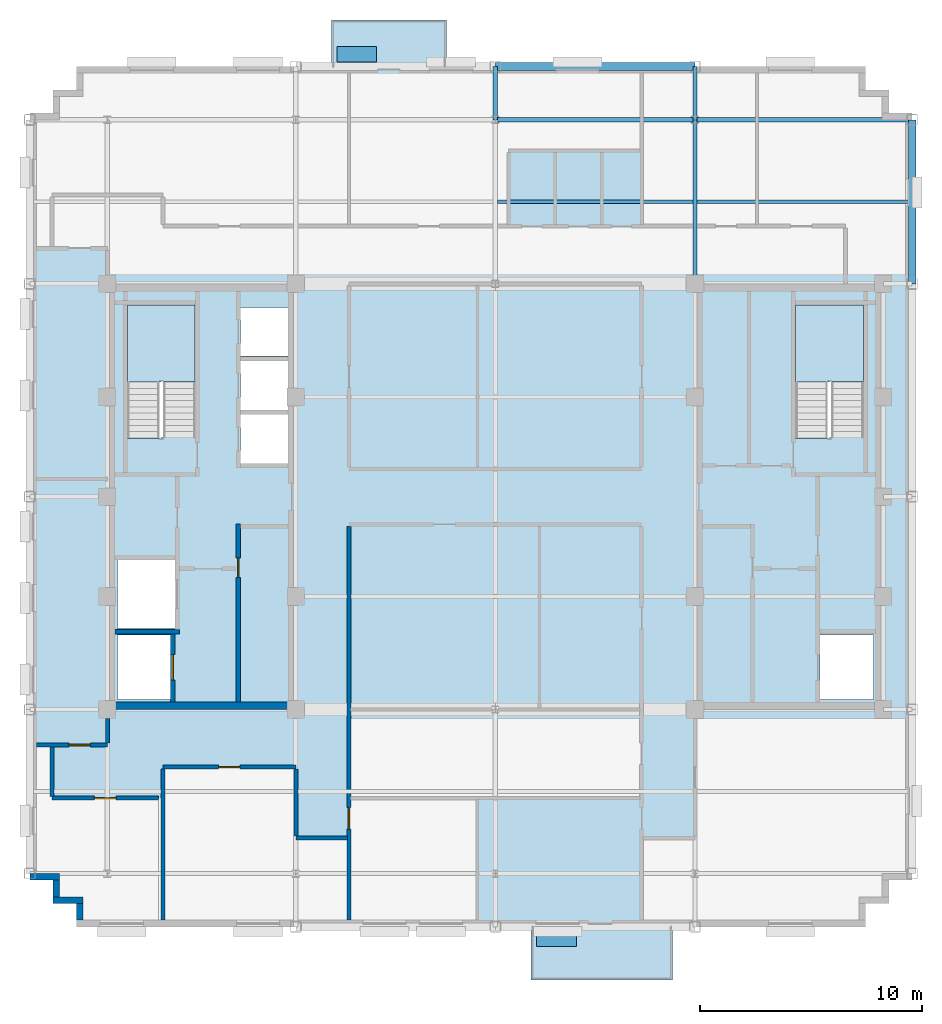
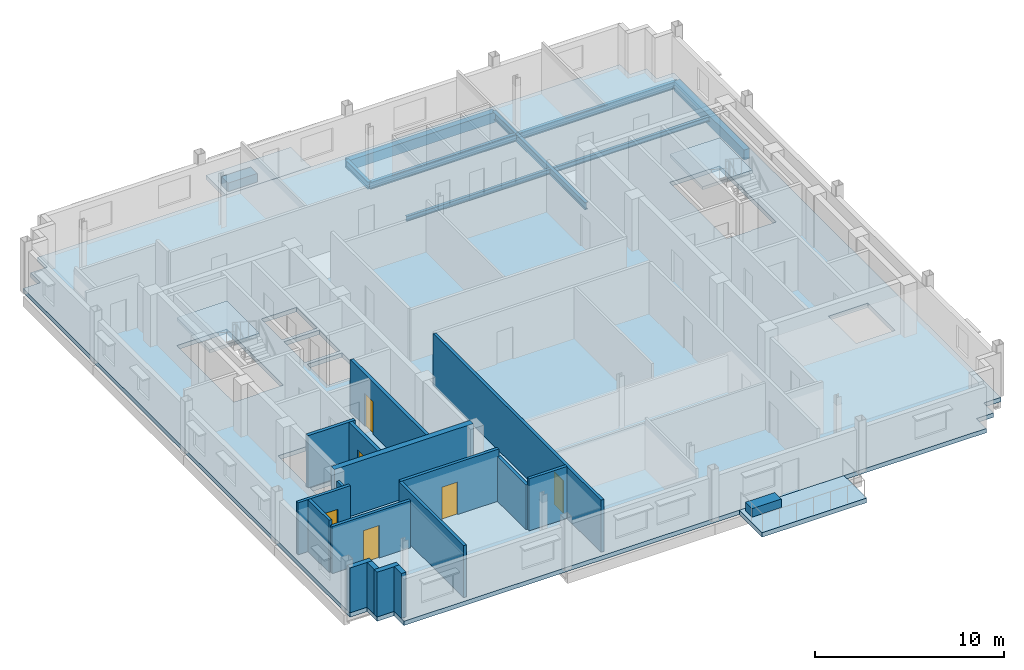
# One storey, part 5 of 13: 17 walls, 9 beams, 6 doors, 5 slabs, 2 plates, 6 openings, 2 elements without a shape of their own.
"""IFC4 building model written with IfcOpenShell, lengths in metres."""

import ifcopenshell
import ifcopenshell.guid

model = None  # the IFC model being written
_history = None  # IfcOwnerHistory: only IFC2X3 demands one
_inside = {}  # id of a spatial element -> (the spatial element, [elements in it])
_under = {}  # id of a project, library or spatial element -> (it, [spatial elements below it])
_declared = {}  # id of a project -> (the project, [libraries it declares])
_typed = {}  # id of a type object -> (the type object, [elements of that type])
_made_of = {}  # id of a material, layer set ... -> (it, [elements and type objects made of it])


def new_model(schema):
    """Start an empty IFC model of exactly this schema.

    Asked for "IFC4X3", IfcOpenShell would pick the latest addendum, in which some entities
    have other attributes; the version numbers below select the first issue.
    IFC2X3 requires an IfcOwnerHistory on every rooted entity: one is made here for all.
    """
    global model, _history
    if schema == "IFC4X3":
        model = ifcopenshell.file(schema_version=(4, 3, 0, 0))
    else:
        model = ifcopenshell.file(schema=schema)
    _inside.clear()
    _under.clear()
    _declared.clear()
    _typed.clear()
    _made_of.clear()
    _history = None
    if model.schema == "IFC2X3":
        org = make("IfcOrganization", Name="unknown")
        user = make(
            "IfcPersonAndOrganization",
            ThePerson=make("IfcPerson", FamilyName="unknown"),
            TheOrganization=org,
        )
        app = make(
            "IfcApplication",
            ApplicationDeveloper=org,
            Version="unknown",
            ApplicationFullName="unknown",
            ApplicationIdentifier="unknown",
        )
        _history = make(
            "IfcOwnerHistory",
            OwningUser=user,
            OwningApplication=app,
            ChangeAction="ADDED",
            CreationDate=0,
        )
    return model


def make(cls, **values):
    """One entity of the class cls with the attributes given. An attribute that is None is left unset."""
    return model.create_entity(
        cls, **{name: value for name, value in values.items() if value is not None}
    )


def rooted(cls, **values):
    """An entity with a GlobalId (a new one), such as an element, a storey or a relation."""
    return make(cls, GlobalId=ifcopenshell.guid.new(), OwnerHistory=_history, **values)


def si_unit(unit_type, name, prefix=None):
    """IfcSIUnit, for example si_unit("LENGTHUNIT", "METRE", prefix="MILLI")."""
    return make("IfcSIUnit", UnitType=unit_type, Prefix=prefix, Name=name)


def assignment(units):
    """IfcUnitAssignment: the units of a project."""
    return None if units is None else make("IfcUnitAssignment", Units=units)


def point(xyz):
    """IfcCartesianPoint."""
    return None if xyz is None else make("IfcCartesianPoint", Coordinates=xyz)


def direction(xyz):
    """IfcDirection."""
    return None if xyz is None else make("IfcDirection", DirectionRatios=xyz)


def frame(location, z_axis=None, x_axis=None):
    """IfcAxis2Placement3D, a coordinate frame: its origin and axes. An axis left out is left unset."""
    return make(
        "IfcAxis2Placement3D",
        Location=point(location),
        Axis=direction(z_axis),
        RefDirection=direction(x_axis),
    )


def frame_2d(location, x_axis=None):
    """IfcAxis2Placement2D, a coordinate frame in the plane: its origin and x axis."""
    return make(
        "IfcAxis2Placement2D", Location=point(location), RefDirection=direction(x_axis)
    )


def origin():
    """The frame at (0, 0, 0) with its axes left unset."""
    return frame((0.0, 0.0, 0.0))


def origin_2d():
    """The frame at (0, 0) in the plane with its x axis left unset."""
    return frame_2d((0.0, 0.0))


def place(relative_to, where):
    """IfcLocalPlacement: puts the frame where relative to a parent placement (None: the world)."""
    return make(
        "IfcLocalPlacement", PlacementRelTo=relative_to, RelativePlacement=where
    )


def context(
    kind, dimensions, precision=None, world=None, true_north=None, identifier=None
):
    """IfcGeometricRepresentationContext, for example the 3D "Model" context."""
    return make(
        "IfcGeometricRepresentationContext",
        ContextIdentifier=identifier,
        ContextType=kind,
        CoordinateSpaceDimension=dimensions,
        Precision=precision,
        WorldCoordinateSystem=world,
        TrueNorth=true_north,
    )


def subcontext(parent, identifier, kind, view, scale=None):
    """IfcGeometricRepresentationSubContext, for example "Body" below "Model"."""
    return make(
        "IfcGeometricRepresentationSubContext",
        ContextIdentifier=identifier,
        ContextType=kind,
        ParentContext=parent,
        TargetScale=scale,
        TargetView=view,
    )


def project(units=None, contexts=None):
    """IfcProject with its units and contexts."""
    return rooted(
        "IfcProject",
        Name="project",
        RepresentationContexts=contexts,
        UnitsInContext=assignment(units),
    )


def spatial(cls, under=None, at=None, **own):
    """A site, building, storey or space (cls), placed at a placement, below another one or the project."""
    s = rooted(cls, ObjectPlacement=at, **own)
    if under is not None:
        _under.setdefault(under.id(), (under, []))[1].append(s)
    return s


def polyline(points):
    """IfcPolyline through the points."""
    return make("IfcPolyline", Points=[point(p) for p in points])


def profile(cls, at=None, kind="AREA", **sizes):
    """A parametric profile (cls). Its sizes go by their IFC names, for example OverallWidth=200.0."""
    return make(cls, ProfileType=kind, Position=at, **sizes)


def rectangle(**sizes):
    """IfcRectangleProfileDef."""
    return profile("IfcRectangleProfileDef", **sizes)


def i_section(**sizes):
    """IfcIShapeProfileDef."""
    return profile("IfcIShapeProfileDef", **sizes)


def outline(outer, holes=None, kind="AREA"):
    """IfcArbitraryClosedProfileDef: a profile drawn as a closed curve; with holes, ...WithVoids."""
    if holes is None:
        return make("IfcArbitraryClosedProfileDef", ProfileType=kind, OuterCurve=outer)
    return make(
        "IfcArbitraryProfileDefWithVoids",
        ProfileType=kind,
        OuterCurve=outer,
        InnerCurves=holes,
    )


def extrude(swept, where, along, depth):
    """IfcExtrudedAreaSolid: the profile swept, set in the frame where, extruded along a direction by depth."""
    return make(
        "IfcExtrudedAreaSolid",
        SweptArea=swept,
        Position=where,
        ExtrudedDirection=direction(along),
        Depth=depth,
    )


def shape(context_of_items, identifier, shape_type, items):
    """IfcShapeRepresentation: the items that make up one representation, for example the "Body"."""
    return make(
        "IfcShapeRepresentation",
        ContextOfItems=context_of_items,
        RepresentationIdentifier=identifier,
        RepresentationType=shape_type,
        Items=items,
    )


def source(mapping_origin, context_of_items, identifier, shape_type, items):
    """IfcRepresentationMap: a shape defined once, which mapped items show again and again."""
    return make(
        "IfcRepresentationMap",
        MappingOrigin=mapping_origin,
        MappedRepresentation=shape(context_of_items, identifier, shape_type, items),
    )


def transform(
    local_origin,
    x_axis=None,
    y_axis=None,
    z_axis=None,
    scale=None,
    scale2=None,
    scale3=None,
    uniform=True,
):
    """IfcCartesianTransformationOperator3D, or its non-uniform kind. x_axis, y_axis, z_axis: its Axis1, 2, 3."""
    if uniform:
        return make(
            "IfcCartesianTransformationOperator3D",
            Axis1=direction(x_axis),
            Axis2=direction(y_axis),
            LocalOrigin=point(local_origin),
            Scale=scale,
            Axis3=direction(z_axis),
        )
    return make(
        "IfcCartesianTransformationOperator3DnonUniform",
        Axis1=direction(x_axis),
        Axis2=direction(y_axis),
        LocalOrigin=point(local_origin),
        Scale=scale,
        Axis3=direction(z_axis),
        Scale2=scale2,
        Scale3=scale3,
    )


def mapped(mapping_source, mapping_target):
    """IfcMappedItem: shows the shape of a source again, moved by a transform."""
    return make(
        "IfcMappedItem", MappingSource=mapping_source, MappingTarget=mapping_target
    )


def material(Name=None, Category=None):
    """IfcMaterial."""
    return make("IfcMaterial", Name=Name, Category=Category)


def layer(
    of_material, thickness, ventilated=None, Name=None, Category=None, Priority=None
):
    """IfcMaterialLayer: one layer of a wall or slab, of a material (None: an air gap)."""
    return make(
        "IfcMaterialLayer",
        Material=of_material,
        LayerThickness=thickness,
        IsVentilated=ventilated,
        Name=Name,
        Category=Category,
        Priority=Priority,
    )


def layer_set(layers, Name=None):
    """IfcMaterialLayerSet."""
    return make("IfcMaterialLayerSet", MaterialLayers=layers, LayerSetName=Name)


def material_profile(
    of_material, cross_section, Name=None, Category=None, Priority=None
):
    """IfcMaterialProfile: a cross section and its material."""
    return make(
        "IfcMaterialProfile",
        Name=Name,
        Material=of_material,
        Profile=cross_section,
        Priority=Priority,
        Category=Category,
    )


def profile_set(profiles, Name=None, composite=None):
    """IfcMaterialProfileSet."""
    return make(
        "IfcMaterialProfileSet",
        Name=Name,
        MaterialProfiles=profiles,
        CompositeProfile=composite,
    )


def made_of(thing, what):
    """Note that an element or type object is made of a material, layer set ...; save() writes the relation."""
    if what is not None:
        _made_of.setdefault(what.id(), (what, []))[1].append(thing)
    return thing


def type_object(cls, material=None, **own):
    """A type object (cls), such as IfcWallType, which elements share."""
    return made_of(rooted(cls, **own), material)


def type_shapes(of_type, sources):
    """Give a type object the sources (RepresentationMaps) that its elements show as mapped items."""
    of_type.RepresentationMaps = sources


def element(
    cls,
    number,
    at=None,
    inside=None,
    cuts=None,
    type_object=None,
    material=None,
    context=None,
    identifier="Body",
    shape_type=None,
    held_by="IfcProductDefinitionShape",
    body=None,
    shapes=None,
    **own,
):
    """One element of the class cls, such as IfcWall. Its Tag is "e" and its number.

    at: its placement. inside: the storey or other place that contains it. cuts: it is an
    opening in that element (IfcRelVoidsElement). A single representation is given by context,
    identifier, shape_type and body (its items); several are given by shapes. held_by: the class
    of the entity that holds the representations. save() writes the other relations.
    """
    e = rooted(cls, Tag="e%d" % number, ObjectPlacement=at, **own)
    if body is not None:
        shapes = [shape(context, identifier, shape_type, body)]
    if shapes is not None:
        e.Representation = make(held_by, Representations=shapes)
    if inside is not None:
        _inside.setdefault(inside.id(), (inside, []))[1].append(e)
    if cuts is not None:
        rooted(
            "IfcRelVoidsElement", RelatingBuildingElement=cuts, RelatedOpeningElement=e
        )
    if type_object is not None:
        _typed.setdefault(type_object.id(), (type_object, []))[1].append(e)
    return made_of(e, material)


def fill(opening, filler):
    """IfcRelFillsElement: the door or window that sits in an opening."""
    return rooted(
        "IfcRelFillsElement",
        RelatingOpeningElement=opening,
        RelatedBuildingElement=filler,
    )


def aggregate(whole, parts):
    """IfcRelAggregates: a whole, such as a stair, and the parts it consists of."""
    return rooted("IfcRelAggregates", RelatingObject=whole, RelatedObjects=parts)


def save(model, path):
    """Write the relations noted so far, then the file.

    IfcRelAggregates (storeys below a building ...), IfcRelContainedInSpatialStructure (elements
    in a storey), IfcRelDefinesByType, IfcRelAssociatesMaterial and IfcRelDeclares: one each for
    every whole, place, type object, material and project.
    """
    for whole, parts in _under.values():
        aggregate(whole, parts)
    for where, things in _inside.values():
        rooted(
            "IfcRelContainedInSpatialStructure",
            RelatedElements=things,
            RelatingStructure=where,
        )
    for kind, things in _typed.values():
        rooted("IfcRelDefinesByType", RelatedObjects=things, RelatingType=kind)
    for what, things in _made_of.values():
        rooted("IfcRelAssociatesMaterial", RelatedObjects=things, RelatingMaterial=what)
    for by, libraries in _declared.values():
        rooted("IfcRelDeclares", RelatingContext=by, RelatedDefinitions=libraries)
    model.write(path)


model = new_model("IFC4")

# Units and contexts
model_context = context("Model", 3, precision=1e-05, world=origin(), true_north=direction((0.0, 1.0)))
body_context = subcontext(model_context, "Body", "Model", "MODEL_VIEW")
ifc_project = project(units=[si_unit("LENGTHUNIT", "METRE"), si_unit("AREAUNIT", "SQUARE_METRE"), si_unit("VOLUMEUNIT", "CUBIC_METRE"), si_unit("PLANEANGLEUNIT", "RADIAN"), si_unit("MASSUNIT", "GRAM", prefix="KILO")], contexts=[model_context])

# Site, building, storey
site_placement = place(None, origin())
site = spatial("IfcSite", under=ifc_project, at=site_placement, CompositionType="ELEMENT")
building_placement = place(site_placement, origin())
building = spatial("IfcBuilding", under=site, at=building_placement, Name="Nuvemarco Arch Tower", CompositionType="ELEMENT")
storey_placement = place(building_placement, frame((0.0, 0.0, 276.199951171875)))
storey = spatial("IfcBuildingStorey", under=building, at=storey_placement, Name="L73", CompositionType="ELEMENT", Elevation=276.199951171875)

# Beams
ifc_material_1 = material(Name="Steel S355", Category="steel")
ifc_material_profile_1 = material_profile(ifc_material_1, i_section(OverallWidth=0.19189453125, OverallDepth=0.462890625, WebThickness=0.010498046875, FlangeThickness=0.017578125, FilletRadius=0.014892578125, at=origin_2d()), Name="W460x89")
ifc_profile_set_1 = profile_set([ifc_material_profile_1], Name="Steel S355")
beam_type_1 = type_object("IfcBeamType", Name="BM-GIRD-460", PredefinedType="BEAM", material=ifc_profile_set_1)
beam_1_placement = place(storey_placement, frame((0.0, 17.0, -0.511474609375), z_axis=(0.0, 1.0, 0.0), x_axis=(-1.0, 0.0, 0.0)))
element("IfcBeam", 1, at=beam_1_placement, inside=storey, type_object=beam_type_1, Name="L73 structural beam BGNS_L73_0_+0.0_+17.0", PredefinedType="BEAM", context=body_context, shape_type="SweptSolid", body=[
    extrude(i_section(OverallWidth=0.19189453125, OverallDepth=0.462890625, WebThickness=0.010498046875, FlangeThickness=0.017578125, FilletRadius=0.014892578125, at=origin_2d()), origin(), (0.0, 0.0, 1.0), 2.39990234375),
])
beam_2_placement = place(storey_placement, frame((9.0, 9.60009765625, -0.511474609375), z_axis=(0.0, 1.0, 0.0), x_axis=(-1.0, 0.0, 0.0)))
element("IfcBeam", 2, at=beam_2_placement, inside=storey, type_object=beam_type_1, Name="L73 structural beam BGNS_L73_0_+9.0_+9.6", PredefinedType="BEAM", context=body_context, shape_type="SweptSolid", body=[
    extrude(i_section(OverallWidth=0.19189453125, OverallDepth=0.462890625, WebThickness=0.010498046875, FlangeThickness=0.017578125, FilletRadius=0.014892578125, at=origin_2d()), origin(), (0.0, 0.0, 1.0), 7.39990234375),
])
beam_3_placement = place(storey_placement, frame((9.0, 17.0, -0.511474609375), z_axis=(0.0, 1.0, 0.0), x_axis=(-1.0, 0.0, 0.0)))
element("IfcBeam", 3, at=beam_3_placement, inside=storey, type_object=beam_type_1, Name="L73 structural beam BGNS_L73_0_+9.0_+17.0", PredefinedType="BEAM", context=body_context, shape_type="SweptSolid", body=[
    extrude(i_section(OverallWidth=0.19189453125, OverallDepth=0.462890625, WebThickness=0.010498046875, FlangeThickness=0.017578125, FilletRadius=0.014892578125, at=origin_2d()), origin(), (0.0, 0.0, 1.0), 2.39990234375),
])
beam_4_placement = place(storey_placement, frame((0.0, 17.0, -0.511474609375), z_axis=(1.0, 0.0, 0.0), x_axis=(0.0, 1.0, 0.0)))
element("IfcBeam", 4, at=beam_4_placement, inside=storey, type_object=beam_type_1, Name="L73 structural beam BGEW_L73_0_+17.0_+0.0", PredefinedType="BEAM", context=body_context, shape_type="SweptSolid", body=[
    extrude(i_section(OverallWidth=0.19189453125, OverallDepth=0.462890625, WebThickness=0.010498046875, FlangeThickness=0.017578125, FilletRadius=0.014892578125, at=origin_2d()), origin(), (0.0, 0.0, 1.0), 9.0),
])
beam_5_placement = place(storey_placement, frame((9.0, 17.0, -0.511474609375), z_axis=(1.0, 0.0, 0.0), x_axis=(0.0, 1.0, 0.0)))
element("IfcBeam", 5, at=beam_5_placement, inside=storey, type_object=beam_type_1, Name="L73 structural beam BGEW_L73_0_+17.0_+9.0", PredefinedType="BEAM", context=body_context, shape_type="SweptSolid", body=[
    extrude(i_section(OverallWidth=0.19189453125, OverallDepth=0.462890625, WebThickness=0.010498046875, FlangeThickness=0.017578125, FilletRadius=0.014892578125, at=origin_2d()), origin(), (0.0, 0.0, 1.0), 9.800048828125),
])
ifc_material_profile_2 = material_profile(ifc_material_1, i_section(OverallWidth=0.1669921875, OverallDepth=0.31689453125, WebThickness=0.007568359375, FlangeThickness=0.01318359375, FilletRadius=0.010009765625, at=origin_2d()), Name="W310x52")
ifc_profile_set_2 = profile_set([ifc_material_profile_2], Name="Steel S355")
beam_type_2 = type_object("IfcBeamType", Name="BM-JOIST-310", PredefinedType="JOIST", material=ifc_profile_set_2)
beam_6_placement = place(storey_placement, frame((0.095947265625, 13.300048828125, -0.4384765625), z_axis=(1.0, 0.0, 0.0), x_axis=(0.0, 1.0, 0.0)))
element("IfcBeam", 6, at=beam_6_placement, inside=storey, type_object=beam_type_2, Name="L73 structural beam BJ_L73_0_+13.3_+0.0", PredefinedType="JOIST", context=body_context, shape_type="SweptSolid", body=[
    extrude(i_section(OverallWidth=0.1669921875, OverallDepth=0.31689453125, WebThickness=0.007568359375, FlangeThickness=0.01318359375, FilletRadius=0.010009765625, at=origin_2d()), origin(), (0.0, 0.0, 1.0), 8.80810546875),
])
beam_7_placement = place(storey_placement, frame((9.095947265625, 13.300048828125, -0.4384765625), z_axis=(1.0, 0.0, 0.0), x_axis=(0.0, 1.0, 0.0)))
element("IfcBeam", 7, at=beam_7_placement, inside=storey, type_object=beam_type_2, Name="L73 structural beam BJ_L73_0_+13.3_+9.0", PredefinedType="JOIST", context=body_context, shape_type="SweptSolid", body=[
    extrude(i_section(OverallWidth=0.1669921875, OverallDepth=0.31689453125, WebThickness=0.007568359375, FlangeThickness=0.01318359375, FilletRadius=0.010009765625, at=origin_2d()), origin(), (0.0, 0.0, 1.0), 9.529052734375),
])
ifc_material_2 = material(Name="Precast concrete C45/55", Category="concrete")
ifc_material_profile_3 = material_profile(ifc_material_2, rectangle(XDim=0.35009765625, YDim=0.64990234375, at=origin_2d()), Name="PC-SP-350x650")
ifc_profile_set_3 = profile_set([ifc_material_profile_3], Name="Precast concrete C45/55")
beam_type_3 = type_object("IfcBeamType", Name="BM-SPAN-RC", PredefinedType="SPANDREL", material=ifc_profile_set_3)
beam_8_placement = place(storey_placement, frame((18.800048828125, 9.60009765625, -0.60498046875), z_axis=(0.0, 1.0, 0.0), x_axis=(-1.0, 0.0, 0.0)))
element("IfcBeam", 8, at=beam_8_placement, inside=storey, type_object=beam_type_3, Name="L73 structural beam BGNS_L73_0_+18.8_+9.6", PredefinedType="SPANDREL", context=body_context, shape_type="SweptSolid", body=[
    extrude(rectangle(XDim=0.35009765625, YDim=0.64990234375, at=origin_2d()), origin(), (0.0, 0.0, 1.0), 7.39990234375),
])
beam_9_placement = place(storey_placement, frame((0.0, 19.39990234375, -0.60498046875), z_axis=(1.0, 0.0, 0.0), x_axis=(0.0, 1.0, 0.0)))
element("IfcBeam", 9, at=beam_9_placement, inside=storey, type_object=beam_type_3, Name="L73 structural beam BGEW_L73_0_+19.4_+0.0", PredefinedType="SPANDREL", context=body_context, shape_type="SweptSolid", body=[
    extrude(rectangle(XDim=0.35009765625, YDim=0.64990234375, at=origin_2d()), origin(), (0.0, 0.0, 1.0), 9.0),
])

# Slab
ifc_material_3 = material(Name="Concrete C50/60", Category="concrete")
ifc_layer_1 = layer(ifc_material_3, 0.280029296875, Name="SL-FLR-280")
ifc_layer_set_1 = layer_set([ifc_layer_1], Name="Concrete C50/60")
slab_type_1 = type_object("IfcSlabType", Name="SL-FLR-280", PredefinedType="FLOOR", material=ifc_layer_set_1)
slab_1_placement = place(storey_placement, frame((0.0, 0.0, -0.280029296875)))
element("IfcSlab", 10, at=slab_1_placement, inside=storey, type_object=slab_type_1, Name="L73 structural floor slab", PredefinedType="FLOOR", context=body_context, shape_type="SweptSolid", body=[
    extrude(outline(polyline([(-18.89990234375, -19.39990234375), (16.699951171875, -19.39990234375), (16.699951171875, -18.35009765625), (17.75, -18.35009765625), (17.75, -17.300048828125), (18.800048828125, -17.300048828125), (18.800048828125, 17.300048828125), (17.75, 17.300048828125), (17.75, 18.35009765625), (16.699951171875, 18.35009765625), (16.699951171875, 19.39990234375), (-18.89990234375, 19.39990234375), (-18.89990234375, 18.35009765625), (-19.949951171875, 18.35009765625), (-19.949951171875, 17.300048828125), (-21.0, 17.300048828125), (-21.0, -17.300048828125), (-19.949951171875, -17.300048828125), (-19.949951171875, -18.35009765625), (-18.89990234375, -18.35009765625), (-18.89990234375, -19.39990234375)]), holes=[polyline([(-13.5400390625, 2.669921875), (-13.5400390625, 8.64990234375), (-16.60009765625, 8.64990234375), (-16.60009765625, 2.630615234375), (-15.070068359375, 2.630615234375), (-15.070068359375, 2.669921875), (-13.5400390625, 2.669921875)]), polyline([(16.60009765625, 2.669921875), (16.60009765625, 8.64990234375), (13.5400390625, 8.64990234375), (13.5400390625, 2.630615234375), (15.070068359375, 2.630615234375), (15.070068359375, 2.669921875), (16.60009765625, 2.669921875)]), polyline([(-17.050048828125, -9.14990234375), (-14.64990234375, -9.14990234375), (-14.64990234375, -6.25), (-17.050048828125, -6.25), (-17.050048828125, -9.14990234375)]), polyline([(-17.050048828125, -5.949951171875), (-14.449951171875, -5.949951171875), (-14.449951171875, -2.85009765625), (-17.050048828125, -2.85009765625), (-17.050048828125, -5.949951171875)]), polyline([(-11.5, 1.5), (-9.35009765625, 1.5), (-9.35009765625, 3.699951171875), (-11.5, 3.699951171875), (-11.5, 1.5)]), polyline([(-11.5, 3.919921875), (-9.35009765625, 3.919921875), (-9.35009765625, 6.1201171875), (-11.5, 6.1201171875), (-11.5, 3.919921875)]), polyline([(-11.5, 6.340087890625), (-9.35009765625, 6.340087890625), (-9.35009765625, 8.5400390625), (-11.5, 8.5400390625), (-11.5, 6.340087890625)]), polyline([(14.64990234375, -9.14990234375), (17.050048828125, -9.14990234375), (17.050048828125, -6.25), (14.64990234375, -6.25), (14.64990234375, -9.14990234375)])]), origin(), (0.0, 0.0, 1.0), 0.280029296875),
])

# Stair, slab
stair_type = type_object("IfcStairType", Name="ST-CORE-20R", PredefinedType="HALF_TURN_STAIR", material=ifc_material_2)
stair_1_placement = place(storey_placement, origin())
stair_1 = element("IfcStair", 11, at=stair_1_placement, inside=storey, type_object=stair_type, Name="L73 Protected Exit Stair ST-1", PredefinedType="HALF_TURN_STAIR")
ifc_layer_2 = layer(ifc_material_2, 0.199951171875, Name="SL-LANDING-200")
ifc_layer_set_2 = layer_set([ifc_layer_2], Name="Precast concrete C45/55")
slab_type_2 = type_object("IfcSlabType", Name="SL-LANDING-200", PredefinedType="LANDING", material=ifc_layer_set_2)
slab_2_placement = place(storey_placement, frame((0.0, 0.0, 1.625)))
slab_2 = element("IfcSlab", 12, at=slab_2_placement, type_object=slab_type_2, Name="ST-20R landing 1", PredefinedType="LANDING", context=body_context, shape_type="SweptSolid", body=[
    extrude(outline(polyline([(-13.5400390625, 5.189453125), (-13.5400390625, 8.64990234375), (-16.60009765625, 8.64990234375), (-16.60009765625, 5.169921875), (-15.070068359375, 5.169921875), (-15.070068359375, 5.189453125), (-13.5400390625, 5.189453125)])), origin(), (0.0, 0.0, 1.0), 0.199951171875),
])
aggregate(stair_1, [slab_2])

stair_2_placement = place(storey_placement, origin())
stair_2 = element("IfcStair", 13, at=stair_2_placement, inside=storey, type_object=stair_type, Name="L73 Protected Exit Stair ST-2", PredefinedType="HALF_TURN_STAIR")
slab_3_placement = place(storey_placement, frame((0.0, 0.0, 1.625)))
slab_3 = element("IfcSlab", 14, at=slab_3_placement, type_object=slab_type_2, Name="ST-20R landing 1", PredefinedType="LANDING", context=body_context, shape_type="SweptSolid", body=[
    extrude(outline(polyline([(16.60009765625, 5.189453125), (16.60009765625, 8.64990234375), (13.5400390625, 8.64990234375), (13.5400390625, 5.169921875), (15.070068359375, 5.169921875), (15.070068359375, 5.189453125), (16.60009765625, 5.189453125)])), origin(), (0.0, 0.0, 1.0), 0.199951171875),
])
aggregate(stair_2, [slab_3])

# Slabs
ifc_layer_3 = layer(ifc_material_3, 0.264892578125, Name="SL-TB1")
ifc_layer_set_3 = layer_set([ifc_layer_3], Name="Concrete C50/60")
slab_type_3 = type_object("IfcSlabType", Name="SL-TB1", PredefinedType="FLOOR", material=ifc_layer_set_3)
slab_4_placement = place(storey_placement, frame((0.0, 0.0, -0.264892578125)))
element("IfcSlab", 15, at=slab_4_placement, inside=storey, type_object=slab_type_3, Name="L73 outdoor tree balcony slab 2", PredefinedType="FLOOR", context=body_context, shape_type="SweptSolid", body=[
    extrude(outline(polyline([(-7.39990234375, 19.39990234375), (-2.199951171875, 19.39990234375), (-2.199951171875, 21.5), (-7.39990234375, 21.5), (-7.39990234375, 19.39990234375)])), origin(), (0.0, 0.0, 1.0), 0.264892578125),
])
ifc_layer_4 = layer(ifc_material_3, 0.294921875, Name="SL-TR4")
ifc_layer_set_4 = layer_set([ifc_layer_4], Name="Concrete C50/60")
slab_type_4 = type_object("IfcSlabType", Name="SL-TR4", PredefinedType="FLOOR", material=ifc_layer_set_4)
slab_5_placement = place(storey_placement, frame((0.0, 0.0, -0.294921875)))
element("IfcSlab", 16, at=slab_5_placement, inside=storey, type_object=slab_type_4, Name="L73 outdoor spiral terrace slab 1", PredefinedType="FLOOR", context=body_context, shape_type="SweptSolid", body=[
    extrude(outline(polyline([(1.60009765625, -21.800048828125), (8.0, -21.800048828125), (8.0, -19.39990234375), (1.60009765625, -19.39990234375), (1.60009765625, -21.800048828125)])), origin(), (0.0, 0.0, 1.0), 0.294921875),
])

# Plates
ifc_layer_5 = layer(ifc_material_2, 0.550048828125, Name="Tree Balcony Structural Planter")
ifc_layer_set_5 = layer_set([ifc_layer_5], Name="Precast concrete C45/55")
plate_type = type_object("IfcPlateType", Name="Tree Balcony Structural Planter", PredefinedType="USERDEFINED", material=ifc_layer_set_5)
shared_shape_1 = source(origin(), body_context, "Body", "SweptSolid", [
    extrude(rectangle(XDim=1.800048828125, YDim=0.699951171875, at=origin_2d()), origin(), (0.0, 0.0, 1.0), 0.550048828125),
])
type_shapes(plate_type, [shared_shape_1])
for number, where, z_axis, x_axis, name in (
    (17, (2.75, -19.949951171875, 0.0), (0.0, 0.0, 1.0), (1.0, 0.0, 0.0), "L73 Tree Balcony Structural Planter"),
    (18, (-6.25, 19.949951171875, 0.0), (0.0, 0.0, 1.0), (1.0, 0.0, 0.0), "L73 Tree Balcony Structural Planter"),
):
    element("IfcPlate", number, at=place(storey_placement, frame(where, z_axis=z_axis, x_axis=x_axis)), inside=storey, type_object=plate_type, Name=name, ObjectType="PLANTER", PredefinedType="USERDEFINED", context=body_context, shape_type="MappedRepresentation", body=[
        mapped(shared_shape_1, transform((0.0, 0.0, 0.0), scale=1.0)),
    ])

# Walls
ifc_layer_6 = layer(ifc_material_2, 0.300048828125, Name="EW-HIGH-300")
ifc_layer_set_6 = layer_set([ifc_layer_6], Name="Precast concrete C45/55")
wall_type_1 = type_object("IfcWallType", Name="EW-HIGH-300", PredefinedType="STANDARD", material=ifc_layer_set_6)
wall_1_placement = place(storey_placement, frame((-21.0, -17.14990234375, 0.0), z_axis=(0.0, 0.0, 1.0), x_axis=(1.0, 0.0, 0.0)))
element("IfcWall", 19, at=wall_1_placement, inside=storey, type_object=wall_type_1, Name="L73 exterior precast facade wall 17", PredefinedType="STANDARD", context=body_context, shape_type="SweptSolid", body=[
    extrude(rectangle(XDim=1.35009765625, YDim=0.300048828125, at=frame_2d((0.675048828125, 0.0))), origin(), (0.0, 0.0, 1.0), 2.89208984375),
])
wall_2_placement = place(storey_placement, frame((-19.800048828125, -18.053955078125, 0.0), z_axis=(0.0, 0.0, 1.0), x_axis=(0.0, 1.0, 0.0)))
element("IfcWall", 20, at=wall_2_placement, inside=storey, type_object=wall_type_1, Name="L73 exterior precast facade wall 18", PredefinedType="STANDARD", context=body_context, shape_type="SweptSolid", body=[
    extrude(rectangle(XDim=0.758056640625, YDim=0.300048828125, at=frame_2d((0.37890625, 0.0))), origin(), (0.0, 0.0, 1.0), 2.89208984375),
])
wall_3_placement = place(storey_placement, frame((-19.949951171875, -18.199951171875, 0.0), z_axis=(0.0, 0.0, 1.0), x_axis=(1.0, 0.0, 0.0)))
element("IfcWall", 21, at=wall_3_placement, inside=storey, type_object=wall_type_1, Name="L73 exterior precast facade wall 19", PredefinedType="STANDARD", context=body_context, shape_type="SweptSolid", body=[
    extrude(rectangle(XDim=1.349853515625, YDim=0.300048828125, at=frame_2d((0.6748046875, 0.0))), origin(), (0.0, 0.0, 1.0), 2.89208984375),
])
wall_4_placement = place(storey_placement, frame((-18.75, -19.10400390625, 0.0), z_axis=(0.0, 0.0, 1.0), x_axis=(0.0, 1.0, 0.0)))
element("IfcWall", 22, at=wall_4_placement, inside=storey, type_object=wall_type_1, Name="L73 exterior precast facade wall 20", PredefinedType="STANDARD", context=body_context, shape_type="SweptSolid", body=[
    extrude(rectangle(XDim=0.758056640625, YDim=0.300048828125, at=frame_2d((0.37890625, 0.0))), origin(), (0.0, 0.0, 1.0), 2.89208984375),
])
ifc_layer_7 = layer(ifc_material_3, 0.35009765625, Name="WL-CORE-350")
ifc_layer_set_7 = layer_set([ifc_layer_7], Name="Concrete C50/60")
wall_type_2 = type_object("IfcWallType", Name="WL-CORE-350", PredefinedType="SHEAR", material=ifc_layer_set_7)
wall_5_placement = place(storey_placement, frame((-17.5, -9.425048828125, 0.0), z_axis=(0.0, 0.0, 1.0), x_axis=(1.0, 0.0, 0.0)))
element("IfcWall", 23, at=wall_5_placement, inside=storey, type_object=wall_type_2, Name="L73 W-core shear wall S", PredefinedType="SHEAR", context=body_context, shape_type="SweptSolid", body=[
    extrude(rectangle(XDim=8.5, YDim=0.35009765625, at=frame_2d((4.25, 0.0))), origin(), (0.0, 0.0, 1.0), 3.3701171875),
])
ifc_material_4 = material(Name="Fire-rated gypsum drywall partition")
ifc_layer_8 = layer(ifc_material_4, 0.179931640625, Name="WL-CORR-180")
ifc_layer_set_8 = layer_set([ifc_layer_8], Name="Fire-rated gypsum drywall partition")
wall_type_3 = type_object("IfcWallType", Name="WL-CORR-180", PredefinedType="PARTITIONING", material=ifc_layer_set_8)
wall_6_placement = place(storey_placement, frame((-9.0, -15.39990234375, 0.0), z_axis=(0.0, 0.0, 1.0), x_axis=(1.0, 0.0, 0.0)))
element("IfcWall", 24, at=wall_6_placement, inside=storey, type_object=wall_type_3, Name="L73 interior wall IW-L73-001", PredefinedType="PARTITIONING", context=body_context, shape_type="SweptSolid", body=[
    extrude(rectangle(XDim=2.323974609375, YDim=0.179931640625, at=frame_2d((1.162109375, 0.0))), origin(), (0.0, 0.0, 1.0), 3.360107421875),
])

# Wall, opening, door
wall_7_placement = place(storey_placement, frame((-20.0, -13.60009765625, 0.0), z_axis=(0.0, 0.0, 1.0), x_axis=(1.0, 0.0, 0.0)))
wall_7 = element("IfcWall", 25, at=wall_7_placement, inside=storey, type_object=wall_type_3, Name="L73 interior wall IW-L73-003", PredefinedType="PARTITIONING", context=body_context, shape_type="SweptSolid", body=[
    extrude(rectangle(XDim=4.800048828125, YDim=0.179931640625, at=frame_2d((2.39990234375, 0.0))), origin(), (0.0, 0.0, 1.0), 3.0380859375),
])
opening_1_placement = place(wall_7_placement, frame((1.919921875, 0.0, 0.0)))
opening_1 = element("IfcOpeningElement", 26, at=opening_1_placement, cuts=wall_7, Name="Opening FD-5", PredefinedType="OPENING", context=body_context, shape_type="SweptSolid", body=[
    extrude(rectangle(XDim=0.9599609375, YDim=2.10009765625, at=frame_2d((0.47998046875, 1.050048828125))), frame((0.0, 0.099853515625, 0.0), z_axis=(0.0, -1.0, 0.0), x_axis=(1.0, 0.0, 0.0)), (0.0, 0.0, 1.0), 0.199951171875),
])
ifc_material_5 = material(Name="Timber fire door", Category="wood")
door_type_1 = type_object("IfcDoorType", Name="DR-CORR-FD", OperationType="NOTDEFINED", PredefinedType="DOOR", material=ifc_material_5)
shared_shape_2 = source(origin(), body_context, "Body", "SweptSolid", [
    extrude(rectangle(XDim=0.9599609375, YDim=2.10009765625, at=frame_2d((0.47998046875, 1.050048828125))), frame((0.0, 0.02490234375, 0.0), z_axis=(0.0, -1.0, 0.0), x_axis=(1.0, 0.0, 0.0)), (0.0, 0.0, 1.0), 0.050048828125),
])
type_shapes(door_type_1, [shared_shape_2])
door_1_placement = place(opening_1_placement, origin())
door_1 = element("IfcDoor", 27, at=door_1_placement, inside=storey, type_object=door_type_1, Name="L73 door DR-L73-S_1", OperationType="SINGLE_SWING_RIGHT", OverallHeight=2.10009765625, OverallWidth=0.9599609375, PredefinedType="DOOR", context=body_context, shape_type="MappedRepresentation", body=[
    mapped(shared_shape_2, transform((0.0, 0.0, 0.0), scale=1.0)),
])
fill(opening_1, door_1)

wall_8_placement = place(storey_placement, frame((-15.0, -12.199951171875, 0.0), z_axis=(0.0, 0.0, 1.0), x_axis=(1.0, 0.0, 0.0)))
wall_8 = element("IfcWall", 28, at=wall_8_placement, inside=storey, type_object=wall_type_3, Name="L73 interior wall IW-L73-005", PredefinedType="PARTITIONING", context=body_context, shape_type="SweptSolid", body=[
    extrude(rectangle(XDim=6.0, YDim=0.179931640625, at=frame_2d((3.0, 0.0))), origin(), (0.0, 0.0, 1.0), 3.360107421875),
])
opening_2_placement = place(wall_8_placement, frame((2.52001953125, 0.0, 0.0)))
opening_2 = element("IfcOpeningElement", 29, at=opening_2_placement, cuts=wall_8, Name="Opening FD-5", PredefinedType="OPENING", context=body_context, shape_type="SweptSolid", body=[
    extrude(rectangle(XDim=0.9599609375, YDim=2.10009765625, at=frame_2d((0.47998046875, 1.050048828125))), frame((0.0, 0.099853515625, 0.0), z_axis=(0.0, -1.0, 0.0), x_axis=(1.0, 0.0, 0.0)), (0.0, 0.0, 1.0), 0.199951171875),
])
door_2_placement = place(opening_2_placement, origin())
door_2 = element("IfcDoor", 30, at=door_2_placement, inside=storey, type_object=door_type_1, Name="L73 door DR-L73-S_2", OperationType="SINGLE_SWING_RIGHT", OverallHeight=2.10009765625, OverallWidth=0.9599609375, PredefinedType="DOOR", context=body_context, shape_type="MappedRepresentation", body=[
    mapped(shared_shape_2, transform((0.0, 0.0, 0.0), scale=1.0)),
])
fill(opening_2, door_2)

wall_9_placement = place(storey_placement, frame((-20.699951171875, -11.199951171875, 0.0), z_axis=(0.0, 0.0, 1.0), x_axis=(1.0, 0.0, 0.0)))
wall_9 = element("IfcWall", 31, at=wall_9_placement, inside=storey, type_object=wall_type_3, Name="L73 interior wall IW-L73-006", PredefinedType="PARTITIONING", context=body_context, shape_type="SweptSolid", body=[
    extrude(rectangle(XDim=3.199951171875, YDim=0.179931640625, at=frame_2d((1.60009765625, 0.0))), origin(), (0.0, 0.0, 1.0), 3.360107421875),
])
opening_3_placement = place(wall_9_placement, frame((1.469970703125, 0.0, 0.0)))
opening_3 = element("IfcOpeningElement", 32, at=opening_3_placement, cuts=wall_9, Name="Opening FD-5", PredefinedType="OPENING", context=body_context, shape_type="SweptSolid", body=[
    extrude(rectangle(XDim=0.9599609375, YDim=2.10009765625, at=frame_2d((0.47998046875, 1.050048828125))), frame((0.0, 0.099853515625, 0.0), z_axis=(0.0, -1.0, 0.0), x_axis=(1.0, 0.0, 0.0)), (0.0, 0.0, 1.0), 0.199951171875),
])
door_3_placement = place(opening_3_placement, origin())
door_3 = element("IfcDoor", 33, at=door_3_placement, inside=storey, type_object=door_type_1, Name="L73 door DR-L73-W_1", OperationType="SINGLE_SWING_RIGHT", OverallHeight=2.10009765625, OverallWidth=0.9599609375, PredefinedType="DOOR", context=body_context, shape_type="MappedRepresentation", body=[
    mapped(shared_shape_2, transform((0.0, 0.0, 0.0), scale=1.0)),
])
fill(opening_3, door_3)

# Walls
wall_10_placement = place(storey_placement, frame((-20.0, -13.513916015625, 0.0), z_axis=(0.0, 0.0, 1.0), x_axis=(0.0, 1.0, 0.0)))
element("IfcWall", 34, at=wall_10_placement, inside=storey, type_object=wall_type_3, Name="L73 interior wall IW-L73-018", PredefinedType="PARTITIONING", context=body_context, shape_type="SweptSolid", body=[
    extrude(rectangle(XDim=2.22802734375, YDim=0.179931640625, at=frame_2d((1.114013671875, 0.0))), origin(), (0.0, 0.0, 1.0), 3.360107421875),
])
wall_11_placement = place(storey_placement, frame((-17.5, -11.114013671875, 0.0), z_axis=(0.0, 0.0, 1.0), x_axis=(0.0, 1.0, 0.0)))
element("IfcWall", 35, at=wall_11_placement, inside=storey, type_object=wall_type_3, Name="L73 interior wall IW-L73-020", PredefinedType="PARTITIONING", context=body_context, shape_type="SweptSolid", body=[
    extrude(rectangle(XDim=1.117919921875, YDim=0.179931640625, at=frame_2d((0.55908203125, 0.0))), origin(), (0.0, 0.0, 1.0), 2.89208984375),
])
wall_12_placement = place(storey_placement, frame((-15.0, -19.10009765625, 0.0), z_axis=(0.0, 0.0, 1.0), x_axis=(0.0, 1.0, 0.0)))
element("IfcWall", 36, at=wall_12_placement, inside=storey, type_object=wall_type_3, Name="L73 interior wall IW-L73-022", PredefinedType="PARTITIONING", context=body_context, shape_type="SweptSolid", body=[
    extrude(rectangle(XDim=6.814208984375, YDim=0.179931640625, at=frame_2d((3.4072265625, 0.0))), origin(), (0.0, 0.0, 1.0), 3.360107421875),
])
wall_13_placement = place(storey_placement, frame((-9.0, -15.31396484375, 0.0), z_axis=(0.0, 0.0, 1.0), x_axis=(0.0, 1.0, 0.0)))
element("IfcWall", 37, at=wall_13_placement, inside=storey, type_object=wall_type_3, Name="L73 interior wall IW-L73-024", PredefinedType="PARTITIONING", context=body_context, shape_type="SweptSolid", body=[
    extrude(rectangle(XDim=3.028076171875, YDim=0.179931640625, at=frame_2d((1.51416015625, 0.0))), origin(), (0.0, 0.0, 1.0), 2.89208984375),
])

# Wall, opening, door
wall_14_placement = place(storey_placement, frame((-6.60009765625, -19.10009765625, 0.0), z_axis=(0.0, 0.0, 1.0), x_axis=(0.0, 1.0, 0.0)))
wall_14 = element("IfcWall", 38, at=wall_14_placement, inside=storey, type_object=wall_type_3, Name="L73 interior wall IW-L73-025", PredefinedType="PARTITIONING", context=body_context, shape_type="SweptSolid", body=[
    extrude(rectangle(XDim=17.76416015625, YDim=0.179931640625, at=frame_2d((8.882080078125, 0.0))), origin(), (0.0, 0.0, 1.0), 3.360107421875),
])
opening_4_placement = place(wall_14_placement, frame((4.1201171875, 0.0, 0.0)))
opening_4 = element("IfcOpeningElement", 39, at=opening_4_placement, cuts=wall_14, Name="Opening FD-5", PredefinedType="OPENING", context=body_context, shape_type="SweptSolid", body=[
    extrude(rectangle(XDim=0.9599609375, YDim=2.10009765625, at=frame_2d((0.47998046875, 1.050048828125))), frame((0.0, 0.099853515625, 0.0), z_axis=(0.0, -1.0, 0.0), x_axis=(1.0, 0.0, 0.0)), (0.0, 0.0, 1.0), 0.199951171875),
])
door_4_placement = place(opening_4_placement, origin())
door_4 = element("IfcDoor", 40, at=door_4_placement, inside=storey, type_object=door_type_1, Name="L73 door DR-L73-S_4", OperationType="SINGLE_SWING_RIGHT", OverallHeight=2.10009765625, OverallWidth=0.9599609375, PredefinedType="DOOR", context=body_context, shape_type="MappedRepresentation", body=[
    mapped(shared_shape_2, transform((0.0, 0.0, 0.0), scale=1.0)),
])
fill(opening_4, door_4)

ifc_layer_9 = layer(ifc_material_3, 0.199951171875, Name="WL-SHAFT-220")
ifc_layer_set_9 = layer_set([ifc_layer_9], Name="Concrete C50/60")
wall_type_4 = type_object("IfcWallType", Name="WL-SHAFT-220", PredefinedType="SHEAR", material=ifc_layer_set_9)
wall_15_placement = place(storey_placement, frame((-14.550048828125, -9.2548828125, 0.0), z_axis=(0.0, 0.0, 1.0), x_axis=(0.0, 1.0, 0.0)))
wall_15 = element("IfcWall", 41, at=wall_15_placement, inside=storey, type_object=wall_type_4, Name="L73 structural shaft wall SW-L73-W-SHE", PredefinedType="SHEAR", context=body_context, shape_type="SweptSolid", body=[
    extrude(rectangle(XDim=3.059814453125, YDim=0.199951171875, at=frame_2d((1.52978515625, 0.0))), origin(), (0.0, 0.0, 1.0), 3.3701171875),
])
opening_5_placement = place(wall_15_placement, frame((0.97998046875, 0.0, 0.0)))
opening_5 = element("IfcOpeningElement", 42, at=opening_5_placement, cuts=wall_15, Name="Opening LD-2", PredefinedType="OPENING", context=body_context, shape_type="SweptSolid", body=[
    extrude(rectangle(XDim=1.14990234375, YDim=2.14990234375, at=frame_2d((0.574951171875, 1.074951171875))), frame((0.0, 0.10986328125, 0.0), z_axis=(0.0, -1.0, 0.0), x_axis=(1.0, 0.0, 0.0)), (0.0, 0.0, 1.0), 0.219970703125),
])
ifc_material_6 = material(Name="Stainless steel lift door", Category="steel")
door_type_2 = type_object("IfcDoorType", Name="DR-LIFT-FIRE", OperationType="DOUBLE_DOOR_SLIDING", PredefinedType="DOOR", material=ifc_material_6)
shared_shape_3 = source(origin(), body_context, "Body", "SweptSolid", [
    extrude(rectangle(XDim=1.14990234375, YDim=2.14990234375, at=frame_2d((0.574951171875, 1.074951171875))), frame((0.0, 0.02490234375, 0.0), z_axis=(0.0, -1.0, 0.0), x_axis=(1.0, 0.0, 0.0)), (0.0, 0.0, 1.0), 0.050048828125),
])
type_shapes(door_type_2, [shared_shape_3])
door_5_placement = place(opening_5_placement, origin())
door_5 = element("IfcDoor", 43, at=door_5_placement, inside=storey, type_object=door_type_2, Name="L73 Lift landing sliding door FFL-1", OperationType="DOUBLE_DOOR_SLIDING", OverallHeight=2.14990234375, OverallWidth=1.14990234375, PredefinedType="DOOR", context=body_context, shape_type="MappedRepresentation", body=[
    mapped(shared_shape_3, transform((0.0, 0.0, 0.0), scale=1.0)),
])
fill(opening_5, door_5)

# Wall
wall_16_placement = place(storey_placement, frame((-17.155029296875, -6.10009765625, 0.0), z_axis=(0.0, 0.0, 1.0), x_axis=(1.0, 0.0, 0.0)))
element("IfcWall", 44, at=wall_16_placement, inside=storey, type_object=wall_type_4, Name="L73 structural shaft wall SW-L73-W-SH1", PredefinedType="SHEAR", context=body_context, shape_type="SweptSolid", body=[
    extrude(rectangle(XDim=2.905029296875, YDim=0.199951171875, at=frame_2d((1.45263671875, 0.0))), origin(), (0.0, 0.0, 1.0), 3.3701171875),
])

# Wall, opening, door
wall_17_placement = place(storey_placement, frame((-11.60009765625, -9.2548828125, 0.0), z_axis=(0.0, 0.0, 1.0), x_axis=(0.0, 1.0, 0.0)))
wall_17 = element("IfcWall", 45, at=wall_17_placement, inside=storey, type_object=wall_type_4, Name="L73 structural shaft wall SW-L73-W-PLW", PredefinedType="SHEAR", context=body_context, shape_type="SweptSolid", body=[
    extrude(rectangle(XDim=8.02490234375, YDim=0.199951171875, at=frame_2d((4.012451171875, 0.0))), origin(), (0.0, 0.0, 1.0), 3.3701171875),
])
opening_6_placement = place(wall_17_placement, frame((5.614990234375, 0.0, 0.0)))
opening_6 = element("IfcOpeningElement", 46, at=opening_6_placement, cuts=wall_17, Name="Opening FD-4", PredefinedType="OPENING", context=body_context, shape_type="SweptSolid", body=[
    extrude(rectangle(XDim=0.8798828125, YDim=2.10009765625, at=frame_2d((0.43994140625, 1.050048828125))), frame((0.0, 0.10986328125, 0.0), z_axis=(0.0, -1.0, 0.0), x_axis=(1.0, 0.0, 0.0)), (0.0, 0.0, 1.0), 0.219970703125),
])
ifc_material_7 = material(Name="Anodised steel fire door", Category="steel")
door_type_3 = type_object("IfcDoorType", Name="DR-RISER-FD", OperationType="NOTDEFINED", PredefinedType="DOOR", material=ifc_material_7)
shared_shape_4 = source(origin(), body_context, "Body", "SweptSolid", [
    extrude(rectangle(XDim=0.8798828125, YDim=2.10009765625, at=frame_2d((0.43994140625, 1.050048828125))), frame((0.0, 0.02490234375, 0.0), z_axis=(0.0, -1.0, 0.0), x_axis=(1.0, 0.0, 0.0)), (0.0, 0.0, 1.0), 0.050048828125),
])
type_shapes(door_type_3, [shared_shape_4])
door_6_placement = place(opening_6_placement, origin())
door_6 = element("IfcDoor", 47, at=door_6_placement, inside=storey, type_object=door_type_3, Name="L73 door FD-L73-WREC1", OperationType="SINGLE_SWING_RIGHT", OverallHeight=2.10009765625, OverallWidth=0.8798828125, PredefinedType="DOOR", context=body_context, shape_type="MappedRepresentation", body=[
    mapped(shared_shape_4, transform((0.0, 0.0, 0.0), scale=1.0)),
])
fill(opening_6, door_6)

save(model, "model.ifc")
